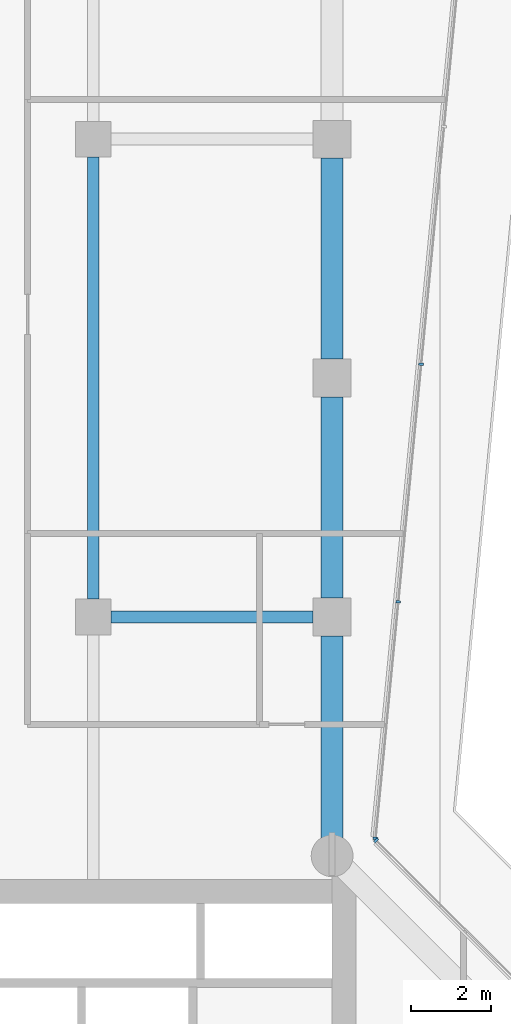
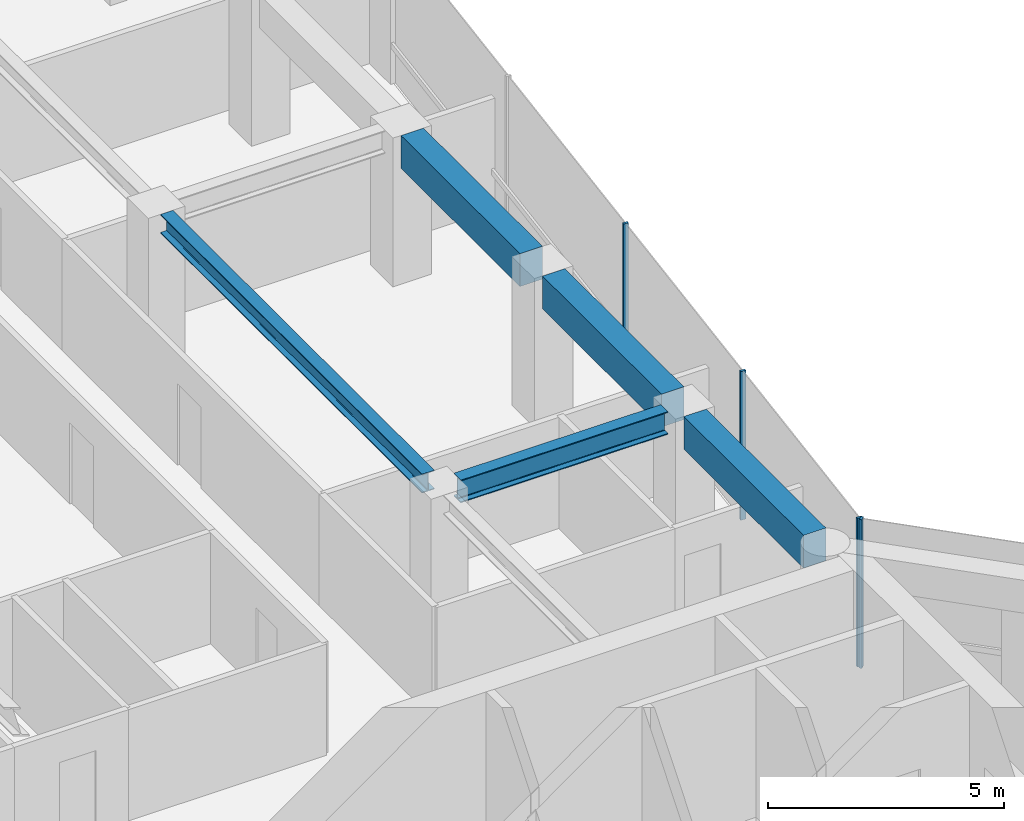
# One storey, part 9 of 23: 5 beams, 4 members, 2 elements without a shape of their own.
"""IFC4 building model written with IfcOpenShell, lengths in metres."""

import ifcopenshell
import ifcopenshell.guid

model = None  # the IFC model being written
_history = None  # IfcOwnerHistory: only IFC2X3 demands one
_inside = {}  # id of a spatial element -> (the spatial element, [elements in it])
_under = {}  # id of a project, library or spatial element -> (it, [spatial elements below it])
_declared = {}  # id of a project -> (the project, [libraries it declares])
_typed = {}  # id of a type object -> (the type object, [elements of that type])
_made_of = {}  # id of a material, layer set ... -> (it, [elements and type objects made of it])


def new_model(schema):
    """Start an empty IFC model of exactly this schema.

    Asked for "IFC4X3", IfcOpenShell would pick the latest addendum, in which some entities
    have other attributes; the version numbers below select the first issue.
    IFC2X3 requires an IfcOwnerHistory on every rooted entity: one is made here for all.
    """
    global model, _history
    if schema == "IFC4X3":
        model = ifcopenshell.file(schema_version=(4, 3, 0, 0))
    else:
        model = ifcopenshell.file(schema=schema)
    _inside.clear()
    _under.clear()
    _declared.clear()
    _typed.clear()
    _made_of.clear()
    _history = None
    if model.schema == "IFC2X3":
        org = make("IfcOrganization", Name="unknown")
        user = make(
            "IfcPersonAndOrganization",
            ThePerson=make("IfcPerson", FamilyName="unknown"),
            TheOrganization=org,
        )
        app = make(
            "IfcApplication",
            ApplicationDeveloper=org,
            Version="unknown",
            ApplicationFullName="unknown",
            ApplicationIdentifier="unknown",
        )
        _history = make(
            "IfcOwnerHistory",
            OwningUser=user,
            OwningApplication=app,
            ChangeAction="ADDED",
            CreationDate=0,
        )
    return model


def make(cls, **values):
    """One entity of the class cls with the attributes given. An attribute that is None is left unset."""
    return model.create_entity(
        cls, **{name: value for name, value in values.items() if value is not None}
    )


def rooted(cls, **values):
    """An entity with a GlobalId (a new one), such as an element, a storey or a relation."""
    return make(cls, GlobalId=ifcopenshell.guid.new(), OwnerHistory=_history, **values)


def si_unit(unit_type, name, prefix=None):
    """IfcSIUnit, for example si_unit("LENGTHUNIT", "METRE", prefix="MILLI")."""
    return make("IfcSIUnit", UnitType=unit_type, Prefix=prefix, Name=name)


def assignment(units):
    """IfcUnitAssignment: the units of a project."""
    return None if units is None else make("IfcUnitAssignment", Units=units)


def point(xyz):
    """IfcCartesianPoint."""
    return None if xyz is None else make("IfcCartesianPoint", Coordinates=xyz)


def direction(xyz):
    """IfcDirection."""
    return None if xyz is None else make("IfcDirection", DirectionRatios=xyz)


def frame(location, z_axis=None, x_axis=None):
    """IfcAxis2Placement3D, a coordinate frame: its origin and axes. An axis left out is left unset."""
    return make(
        "IfcAxis2Placement3D",
        Location=point(location),
        Axis=direction(z_axis),
        RefDirection=direction(x_axis),
    )


def frame_2d(location, x_axis=None):
    """IfcAxis2Placement2D, a coordinate frame in the plane: its origin and x axis."""
    return make(
        "IfcAxis2Placement2D", Location=point(location), RefDirection=direction(x_axis)
    )


def origin():
    """The frame at (0, 0, 0) with its axes left unset."""
    return frame((0.0, 0.0, 0.0))


def origin_2d():
    """The frame at (0, 0) in the plane with its x axis left unset."""
    return frame_2d((0.0, 0.0))


def place(relative_to, where):
    """IfcLocalPlacement: puts the frame where relative to a parent placement (None: the world)."""
    return make(
        "IfcLocalPlacement", PlacementRelTo=relative_to, RelativePlacement=where
    )


def context(
    kind, dimensions, precision=None, world=None, true_north=None, identifier=None
):
    """IfcGeometricRepresentationContext, for example the 3D "Model" context."""
    return make(
        "IfcGeometricRepresentationContext",
        ContextIdentifier=identifier,
        ContextType=kind,
        CoordinateSpaceDimension=dimensions,
        Precision=precision,
        WorldCoordinateSystem=world,
        TrueNorth=true_north,
    )


def subcontext(parent, identifier, kind, view, scale=None):
    """IfcGeometricRepresentationSubContext, for example "Body" below "Model"."""
    return make(
        "IfcGeometricRepresentationSubContext",
        ContextIdentifier=identifier,
        ContextType=kind,
        ParentContext=parent,
        TargetScale=scale,
        TargetView=view,
    )


def project(units=None, contexts=None):
    """IfcProject with its units and contexts."""
    return rooted(
        "IfcProject",
        Name="project",
        RepresentationContexts=contexts,
        UnitsInContext=assignment(units),
    )


def spatial(cls, under=None, at=None, **own):
    """A site, building, storey or space (cls), placed at a placement, below another one or the project."""
    s = rooted(cls, ObjectPlacement=at, **own)
    if under is not None:
        _under.setdefault(under.id(), (under, []))[1].append(s)
    return s


def profile(cls, at=None, kind="AREA", **sizes):
    """A parametric profile (cls). Its sizes go by their IFC names, for example OverallWidth=200.0."""
    return make(cls, ProfileType=kind, Position=at, **sizes)


def rectangle(**sizes):
    """IfcRectangleProfileDef."""
    return profile("IfcRectangleProfileDef", **sizes)


def i_section(**sizes):
    """IfcIShapeProfileDef."""
    return profile("IfcIShapeProfileDef", **sizes)


def extrude(swept, where, along, depth):
    """IfcExtrudedAreaSolid: the profile swept, set in the frame where, extruded along a direction by depth."""
    return make(
        "IfcExtrudedAreaSolid",
        SweptArea=swept,
        Position=where,
        ExtrudedDirection=direction(along),
        Depth=depth,
    )


def shape(context_of_items, identifier, shape_type, items):
    """IfcShapeRepresentation: the items that make up one representation, for example the "Body"."""
    return make(
        "IfcShapeRepresentation",
        ContextOfItems=context_of_items,
        RepresentationIdentifier=identifier,
        RepresentationType=shape_type,
        Items=items,
    )


def material(Name=None, Category=None):
    """IfcMaterial."""
    return make("IfcMaterial", Name=Name, Category=Category)


def layer(
    of_material, thickness, ventilated=None, Name=None, Category=None, Priority=None
):
    """IfcMaterialLayer: one layer of a wall or slab, of a material (None: an air gap)."""
    return make(
        "IfcMaterialLayer",
        Material=of_material,
        LayerThickness=thickness,
        IsVentilated=ventilated,
        Name=Name,
        Category=Category,
        Priority=Priority,
    )


def layer_set(layers, Name=None):
    """IfcMaterialLayerSet."""
    return make("IfcMaterialLayerSet", MaterialLayers=layers, LayerSetName=Name)


def material_profile(
    of_material, cross_section, Name=None, Category=None, Priority=None
):
    """IfcMaterialProfile: a cross section and its material."""
    return make(
        "IfcMaterialProfile",
        Name=Name,
        Material=of_material,
        Profile=cross_section,
        Priority=Priority,
        Category=Category,
    )


def profile_set(profiles, Name=None, composite=None):
    """IfcMaterialProfileSet."""
    return make(
        "IfcMaterialProfileSet",
        Name=Name,
        MaterialProfiles=profiles,
        CompositeProfile=composite,
    )


def made_of(thing, what):
    """Note that an element or type object is made of a material, layer set ...; save() writes the relation."""
    if what is not None:
        _made_of.setdefault(what.id(), (what, []))[1].append(thing)
    return thing


def type_object(cls, material=None, **own):
    """A type object (cls), such as IfcWallType, which elements share."""
    return made_of(rooted(cls, **own), material)


def element(
    cls,
    number,
    at=None,
    inside=None,
    cuts=None,
    type_object=None,
    material=None,
    context=None,
    identifier="Body",
    shape_type=None,
    held_by="IfcProductDefinitionShape",
    body=None,
    shapes=None,
    **own,
):
    """One element of the class cls, such as IfcWall. Its Tag is "e" and its number.

    at: its placement. inside: the storey or other place that contains it. cuts: it is an
    opening in that element (IfcRelVoidsElement). A single representation is given by context,
    identifier, shape_type and body (its items); several are given by shapes. held_by: the class
    of the entity that holds the representations. save() writes the other relations.
    """
    e = rooted(cls, Tag="e%d" % number, ObjectPlacement=at, **own)
    if body is not None:
        shapes = [shape(context, identifier, shape_type, body)]
    if shapes is not None:
        e.Representation = make(held_by, Representations=shapes)
    if inside is not None:
        _inside.setdefault(inside.id(), (inside, []))[1].append(e)
    if cuts is not None:
        rooted(
            "IfcRelVoidsElement", RelatingBuildingElement=cuts, RelatedOpeningElement=e
        )
    if type_object is not None:
        _typed.setdefault(type_object.id(), (type_object, []))[1].append(e)
    return made_of(e, material)


def aggregate(whole, parts):
    """IfcRelAggregates: a whole, such as a stair, and the parts it consists of."""
    return rooted("IfcRelAggregates", RelatingObject=whole, RelatedObjects=parts)


def save(model, path):
    """Write the relations noted so far, then the file.

    IfcRelAggregates (storeys below a building ...), IfcRelContainedInSpatialStructure (elements
    in a storey), IfcRelDefinesByType, IfcRelAssociatesMaterial and IfcRelDeclares: one each for
    every whole, place, type object, material and project.
    """
    for whole, parts in _under.values():
        aggregate(whole, parts)
    for where, things in _inside.values():
        rooted(
            "IfcRelContainedInSpatialStructure",
            RelatedElements=things,
            RelatingStructure=where,
        )
    for kind, things in _typed.values():
        rooted("IfcRelDefinesByType", RelatedObjects=things, RelatingType=kind)
    for what, things in _made_of.values():
        rooted("IfcRelAssociatesMaterial", RelatedObjects=things, RelatingMaterial=what)
    for by, libraries in _declared.values():
        rooted("IfcRelDeclares", RelatingContext=by, RelatedDefinitions=libraries)
    model.write(path)


model = new_model("IFC4")

# Units and contexts
model_context = context("Model", 3, precision=1e-05, world=origin(), true_north=direction((0.0, 1.0)))
body_context = subcontext(model_context, "Body", "Model", "MODEL_VIEW")
ifc_project = project(units=[si_unit("LENGTHUNIT", "METRE"), si_unit("AREAUNIT", "SQUARE_METRE"), si_unit("VOLUMEUNIT", "CUBIC_METRE"), si_unit("PLANEANGLEUNIT", "RADIAN"), si_unit("MASSUNIT", "GRAM", prefix="KILO")], contexts=[model_context])

# Site, building, storey
site_placement = place(None, origin())
site = spatial("IfcSite", under=ifc_project, at=site_placement, CompositionType="ELEMENT")
building_placement = place(site_placement, origin())
building = spatial("IfcBuilding", under=site, at=building_placement, Name="Welwitschia Terrace Campus", CompositionType="ELEMENT")
storey_placement = place(building_placement, frame((0.0, 0.0, 146.60009765625)))
storey = spatial("IfcBuildingStorey", under=building, at=storey_placement, Name="L32", CompositionType="ELEMENT", Elevation=146.60009765625)

# Beam
ifc_material_1 = material(Name="Steel S355", Category="steel")
ifc_material_profile_1 = material_profile(ifc_material_1, i_section(OverallWidth=0.300048828125, OverallDepth=0.489990234375, WebThickness=0.011962890625, FlangeThickness=0.02294921875, FilletRadius=0.027099609375, at=origin_2d()))
ifc_profile_set_1 = profile_set([ifc_material_profile_1], Name="Steel S355")
beam_type_1 = type_object("IfcBeamType", Name="Interior girder HE 500 A", PredefinedType="BEAM", material=ifc_profile_set_1)
beam_1_placement = place(storey_placement, frame((18.0, 32.450439453125, 3.60498046875), z_axis=(0.0, 1.0, 0.0), x_axis=(-1.0, 0.0, 0.0)))
element("IfcBeam", 1, at=beam_1_placement, inside=storey, type_object=beam_type_1, Name="Girder GB4", PredefinedType="BEAM", context=body_context, shape_type="SweptSolid", body=[
    extrude(i_section(OverallWidth=0.300048828125, OverallDepth=0.489990234375, WebThickness=0.011962890625, FlangeThickness=0.02294921875, FilletRadius=0.027099609375, at=origin_2d()), origin(), (0.0, 0.0, 1.0), 11.09912109375),
])

# Curtain wall, member
ifc_material_2 = material(Name="Bronze anodised aluminium", Category="aluminium")
ifc_layer = layer(ifc_material_2, 0.1201171875)
ifc_layer_set = layer_set([ifc_layer], Name="Bronze anodised aluminium")
curtain_wall_type = type_object("IfcCurtainWallType", Name="Curtain wall CW2 tower 6000", PredefinedType="NOTDEFINED", material=ifc_layer_set)
curtain_wall_1_placement = place(storey_placement, origin())
curtain_wall_1 = element("IfcCurtainWall", 2, at=curtain_wall_1_placement, inside=storey, type_object=curtain_wall_type, Name="CW L32.11.0", PredefinedType="NOTDEFINED")
ifc_material_3 = material(Name="Bronze anodised aluminium", Category="aluminium")
ifc_material_profile_2 = material_profile(ifc_material_3, rectangle(XDim=0.1201171875, YDim=0.06005859375, at=origin_2d()))
ifc_profile_set_2 = profile_set([ifc_material_profile_2], Name="Bronze anodised aluminium")
member_type = type_object("IfcMemberType", Name="Mullion 60x120", PredefinedType="MULLION", material=ifc_profile_set_2)
member_1_placement = place(storey_placement, frame((25.107177734375, 26.38916015625, 0.0), z_axis=(0.0, 0.0, 1.0), x_axis=(-0.707106781187, -0.707106781187, 0.0)))
member_1 = element("IfcMember", 3, at=member_1_placement, type_object=member_type, Name="Mullion L32.11.0.1", PredefinedType="MULLION", context=body_context, shape_type="SweptSolid", body=[
    extrude(rectangle(XDim=0.1201171875, YDim=0.06005859375, at=origin_2d()), origin(), (0.0, 0.0, 1.0), 3.849853515625),
])
aggregate(curtain_wall_1, [member_1])

# Curtain wall, members
curtain_wall_2_placement = place(storey_placement, origin())
curtain_wall_2 = element("IfcCurtainWall", 4, at=curtain_wall_2_placement, inside=storey, type_object=curtain_wall_type, Name="CW L32.12.0", PredefinedType="NOTDEFINED")
member_2_placement = place(storey_placement, frame((25.0888671875, 26.440185546875, 0.0), z_axis=(0.0, 0.0, 1.0), x_axis=(-0.995396198367, 0.09584575252, 0.0)))
member_2 = element("IfcMember", 5, at=member_2_placement, type_object=member_type, Name="Mullion L32.12.0.0", PredefinedType="MULLION", context=body_context, shape_type="SweptSolid", body=[
    extrude(rectangle(XDim=0.1201171875, YDim=0.06005859375, at=origin_2d()), origin(), (0.0, 0.0, 1.0), 3.849853515625),
])
member_3_placement = place(storey_placement, frame((25.66064453125, 32.379638671875, 0.0), z_axis=(0.0, 0.0, 1.0), x_axis=(-0.995396198367, 0.09584575252, 0.0)))
member_3 = element("IfcMember", 6, at=member_3_placement, type_object=member_type, Name="Mullion L32.12.0.1", PredefinedType="MULLION", context=body_context, shape_type="SweptSolid", body=[
    extrude(rectangle(XDim=0.1201171875, YDim=0.06005859375, at=origin_2d()), origin(), (0.0, 0.0, 1.0), 3.849853515625),
])
member_4_placement = place(storey_placement, frame((26.2353515625, 38.348876953125, 0.0), z_axis=(0.0, 0.0, 1.0), x_axis=(-0.995396198367, 0.09584575252, 0.0)))
member_4 = element("IfcMember", 7, at=member_4_placement, type_object=member_type, Name="Mullion L32.12.0.2", PredefinedType="MULLION", context=body_context, shape_type="SweptSolid", body=[
    extrude(rectangle(XDim=0.1201171875, YDim=0.06005859375, at=origin_2d()), origin(), (0.0, 0.0, 1.0), 3.849853515625),
])
aggregate(curtain_wall_2, [member_2, member_3, member_4])

# Beams
ifc_material_4 = material(Name="Steel S355", Category="steel")
ifc_material_profile_3 = material_profile(ifc_material_4, i_section(OverallWidth=0.300048828125, OverallDepth=0.590087890625, WebThickness=0.012939453125, FlangeThickness=0.02490234375, FilletRadius=0.027099609375, at=origin_2d()))
ifc_profile_set_3 = profile_set([ifc_material_profile_3], Name="Steel S355")
beam_type_2 = type_object("IfcBeamType", Name="Primary beam HE 600 A", PredefinedType="BEAM", material=ifc_profile_set_3)
beam_2_placement = place(storey_placement, frame((23.5244140625, 32.0, 3.554931640625), z_axis=(-1.0, 0.0, 0.0), x_axis=(0.0, -1.0, 0.0)))
element("IfcBeam", 8, at=beam_2_placement, inside=storey, type_object=beam_type_2, Name="Primary beam PB4", PredefinedType="BEAM", context=body_context, shape_type="SweptSolid", body=[
    extrude(i_section(OverallWidth=0.300048828125, OverallDepth=0.590087890625, WebThickness=0.012939453125, FlangeThickness=0.02490234375, FilletRadius=0.027099609375, at=origin_2d()), origin(), (0.0, 0.0, 1.0), 5.073974609375),
])
ifc_material_5 = material(Name="Concrete C50/60", Category="concrete")
ifc_material_profile_4 = material_profile(ifc_material_5, rectangle(XDim=0.550048828125, YDim=0.85009765625, at=origin_2d()))
ifc_profile_set_4 = profile_set([ifc_material_profile_4], Name="Concrete C50/60")
beam_type_3 = type_object("IfcBeamType", Name="Ring spandrel 550x850", PredefinedType="SPANDREL", material=ifc_profile_set_4)
beam_3_placement = place(storey_placement, frame((24.0, 26.447998046875, 3.4248046875), z_axis=(0.0, 1.0, 0.0), x_axis=(-1.0, 0.0, 0.0)))
element("IfcBeam", 9, at=beam_3_placement, inside=storey, type_object=beam_type_3, Name="Spandrel SP3", PredefinedType="SPANDREL", context=body_context, shape_type="SweptSolid", body=[
    extrude(rectangle(XDim=0.550048828125, YDim=0.85009765625, at=origin_2d()), origin(), (0.0, 0.0, 1.0), 5.076416015625),
])
for number, where, z_axis, x_axis, name in (
    (10, (24.0, 32.4755859375, 3.4248046875), (0.0, 1.0, 0.0), (-1.0, 0.0, 0.0), "Spandrel SP3"),
    (11, (24.0, 38.4755859375, 3.4248046875), (0.0, 1.0, 0.0), (-1.0, 0.0, 0.0), "Spandrel SP3"),
):
    element("IfcBeam", number, at=place(storey_placement, frame(where, z_axis=z_axis, x_axis=x_axis)), inside=storey, type_object=beam_type_3, Name=name, PredefinedType="SPANDREL", context=body_context, shape_type="SweptSolid", body=[
        extrude(rectangle(XDim=0.550048828125, YDim=0.85009765625, at=origin_2d()), origin(), (0.0, 0.0, 1.0), 5.048828125),
    ])

save(model, "model.ifc")
